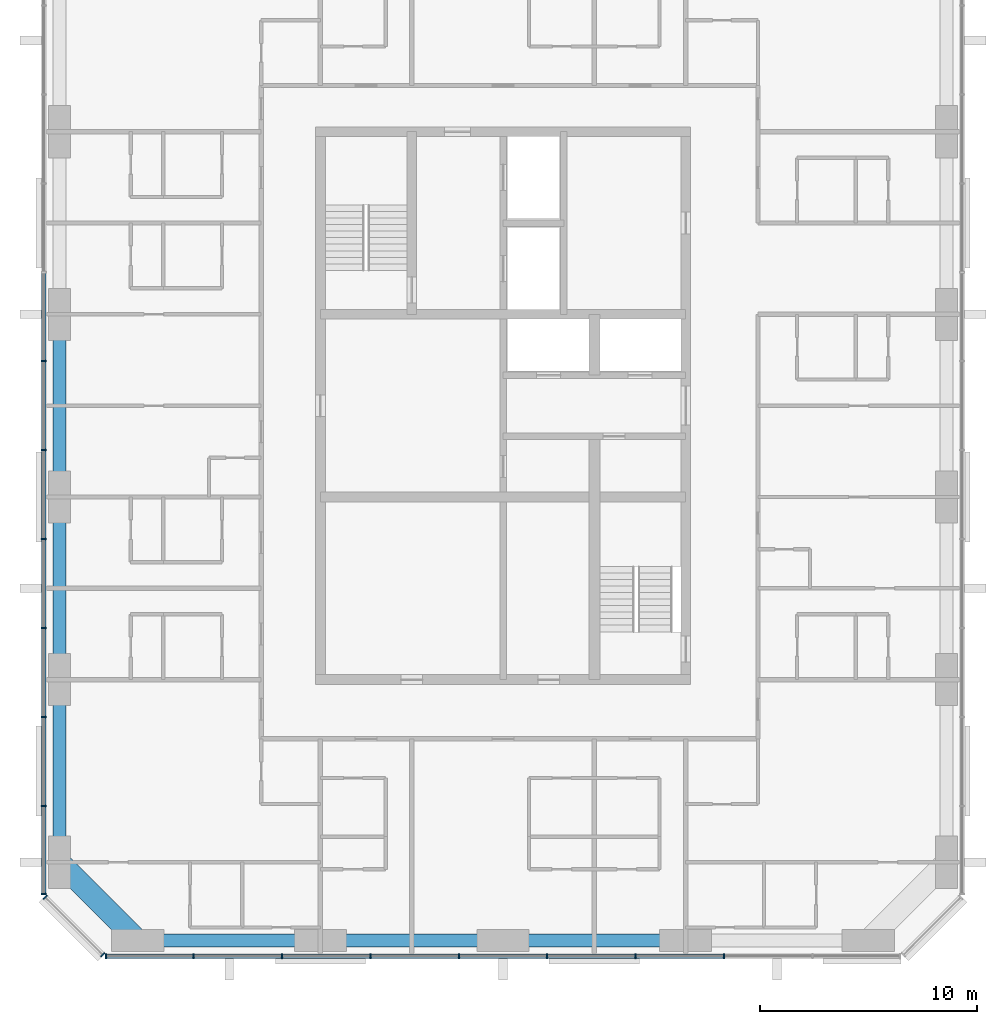
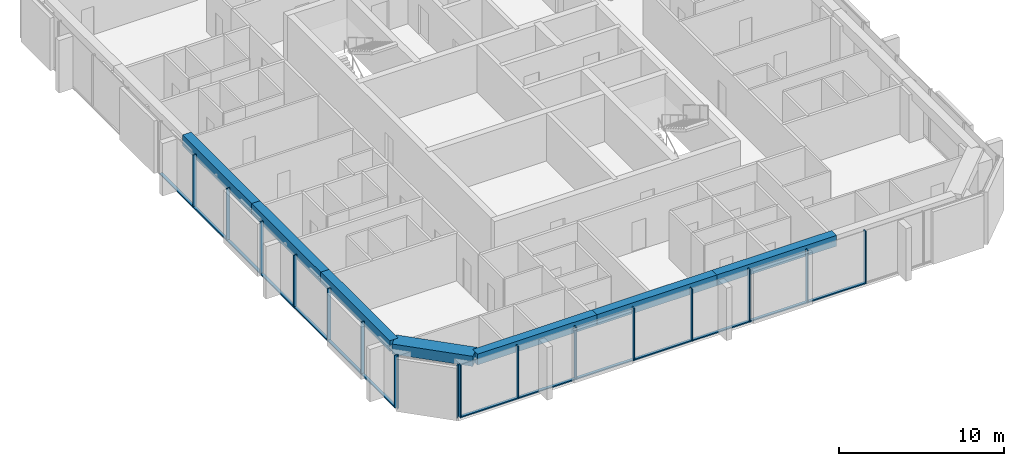
# One storey, part 2 of 12: 31 members, 7 beams, 3 elements without a shape of their own.
"""IFC4 building model written with IfcOpenShell, lengths in metres."""

from ifc_helpers import new_model, si_unit, direction, frame, origin, origin_2d, place, context, subcontext, project, spatial, rectangle, extrude, material, material_profile, profile_set, type_object, element, aggregate, save


model = new_model("IFC4")

# Units and contexts
model_context = context("Model", 3, precision=1e-05, world=origin(), true_north=direction((0.0, 1.0)))
body_context = subcontext(model_context, "Body", "Model", "MODEL_VIEW")
ifc_project = project(units=[si_unit("LENGTHUNIT", "METRE"), si_unit("AREAUNIT", "SQUARE_METRE"), si_unit("VOLUMEUNIT", "CUBIC_METRE"), si_unit("PLANEANGLEUNIT", "RADIAN"), si_unit("MASSUNIT", "GRAM", prefix="KILO")], contexts=[model_context])

# Site, building, storey
site_placement = place(None, origin())
site = spatial("IfcSite", under=ifc_project, at=site_placement, CompositionType="ELEMENT")
building_placement = place(site_placement, origin())
building = spatial("IfcBuilding", under=site, at=building_placement, Name="Dunama Terrace Hotel", CompositionType="ELEMENT")
storey_placement = place(building_placement, frame((0.0, 0.0, 268.5)))
storey = spatial("IfcBuildingStorey", under=building, at=storey_placement, Name="L69", CompositionType="ELEMENT", Elevation=268.5)

# Curtain wall, members
ifc_material_1 = material(Name="Aluminium curtain wall system", Category="aluminium")
curtain_wall_type = type_object("IfcCurtainWallType", Name="Unitised fritted glass wall CW-D", PredefinedType="NOTDEFINED", material=ifc_material_1)
curtain_wall_1_placement = place(storey_placement, origin())
curtain_wall_1 = element("IfcCurtainWall", 1, at=curtain_wall_1_placement, inside=storey, type_object=curtain_wall_type, Name="Unitised fritted glass wall CW-D L69", PredefinedType="NOTDEFINED")
ifc_material_2 = material(Name="Aluminium mullion", Category="aluminium")
ifc_material_profile_1 = material_profile(ifc_material_2, rectangle(XDim=0.070068359375, YDim=0.239990234375, at=origin_2d()), Name="CWD MULLION 70X240")
ifc_profile_set_1 = profile_set([ifc_material_profile_1], Name="Aluminium mullion")
member_type_1 = type_object("IfcMemberType", Name="CWD mullion 70x240", PredefinedType="MULLION", material=ifc_profile_set_1)
member_1_placement = place(storey_placement, frame((15.3349609375, 4.080078125, 0.0), z_axis=(0.0, 0.0, 1.0), x_axis=(1.0, 0.0, 0.0)))
member_1 = element("IfcMember", 2, at=member_1_placement, type_object=member_type_1, Name="CWD mullion", PredefinedType="MULLION", context=body_context, shape_type="SweptSolid", body=[
    extrude(rectangle(XDim=0.070068359375, YDim=0.239990234375, at=origin_2d()), origin(), (0.0, 0.0, 1.0), 3.89990234375),
])
member_2_placement = place(storey_placement, frame((19.366943359375, 4.080078125, 0.0), z_axis=(0.0, 0.0, 1.0), x_axis=(1.0, 0.0, 0.0)))
member_2 = element("IfcMember", 3, at=member_2_placement, type_object=member_type_1, Name="CWD mullion", PredefinedType="MULLION", context=body_context, shape_type="SweptSolid", body=[
    extrude(rectangle(XDim=0.070068359375, YDim=0.239990234375, at=origin_2d()), origin(), (0.0, 0.0, 1.0), 3.89990234375),
])
member_3_placement = place(storey_placement, frame((23.43310546875, 4.080078125, 0.0), z_axis=(0.0, 0.0, 1.0), x_axis=(1.0, 0.0, 0.0)))
member_3 = element("IfcMember", 4, at=member_3_placement, type_object=member_type_1, Name="CWD mullion", PredefinedType="MULLION", context=body_context, shape_type="SweptSolid", body=[
    extrude(rectangle(XDim=0.070068359375, YDim=0.239990234375, at=origin_2d()), origin(), (0.0, 0.0, 1.0), 3.89990234375),
])
member_4_placement = place(storey_placement, frame((27.5, 4.080078125, 0.0), z_axis=(0.0, 0.0, 1.0), x_axis=(1.0, 0.0, 0.0)))
member_4 = element("IfcMember", 5, at=member_4_placement, type_object=member_type_1, Name="CWD mullion", PredefinedType="MULLION", context=body_context, shape_type="SweptSolid", body=[
    extrude(rectangle(XDim=0.070068359375, YDim=0.239990234375, at=origin_2d()), origin(), (0.0, 0.0, 1.0), 3.89990234375),
])
member_5_placement = place(storey_placement, frame((31.56689453125, 4.080078125, 0.0), z_axis=(0.0, 0.0, 1.0), x_axis=(1.0, 0.0, 0.0)))
member_5 = element("IfcMember", 6, at=member_5_placement, type_object=member_type_1, Name="CWD mullion", PredefinedType="MULLION", context=body_context, shape_type="SweptSolid", body=[
    extrude(rectangle(XDim=0.070068359375, YDim=0.239990234375, at=origin_2d()), origin(), (0.0, 0.0, 1.0), 3.89990234375),
])
member_6_placement = place(storey_placement, frame((35.633056640625, 4.080078125, 0.0), z_axis=(0.0, 0.0, 1.0), x_axis=(1.0, 0.0, 0.0)))
member_6 = element("IfcMember", 7, at=member_6_placement, type_object=member_type_1, Name="CWD mullion", PredefinedType="MULLION", context=body_context, shape_type="SweptSolid", body=[
    extrude(rectangle(XDim=0.070068359375, YDim=0.239990234375, at=origin_2d()), origin(), (0.0, 0.0, 1.0), 3.89990234375),
])
member_7_placement = place(storey_placement, frame((39.699951171875, 4.080078125, 0.0), z_axis=(0.0, 0.0, 1.0), x_axis=(1.0, 0.0, 0.0)))
member_7 = element("IfcMember", 8, at=member_7_placement, type_object=member_type_1, Name="CWD mullion", PredefinedType="MULLION", context=body_context, shape_type="SweptSolid", body=[
    extrude(rectangle(XDim=0.070068359375, YDim=0.239990234375, at=origin_2d()), origin(), (0.0, 0.0, 1.0), 3.89990234375),
])
member_8_placement = place(storey_placement, frame((43.76708984375, 4.080078125, 0.0), z_axis=(0.0, 0.0, 1.0), x_axis=(1.0, 0.0, 0.0)))
member_8 = element("IfcMember", 9, at=member_8_placement, type_object=member_type_1, Name="CWD mullion", PredefinedType="MULLION", context=body_context, shape_type="SweptSolid", body=[
    extrude(rectangle(XDim=0.070068359375, YDim=0.239990234375, at=origin_2d()), origin(), (0.0, 0.0, 1.0), 3.89990234375),
])

curtain_wall_2_placement = place(storey_placement, origin())
curtain_wall_2 = element("IfcCurtainWall", 10, at=curtain_wall_2_placement, inside=storey, type_object=curtain_wall_type, Name="Unitised fritted glass wall CW-D L69", PredefinedType="NOTDEFINED")
member_9_placement = place(storey_placement, frame((12.47998046875, 31.445068359375, 0.0), z_axis=(0.0, 0.0, 1.0), x_axis=(0.0, -1.0, 0.0)))
member_9 = element("IfcMember", 11, at=member_9_placement, type_object=member_type_1, Name="CWD mullion", PredefinedType="MULLION", context=body_context, shape_type="SweptSolid", body=[
    extrude(rectangle(XDim=0.070068359375, YDim=0.239990234375, at=origin_2d()), origin(), (0.0, 0.0, 1.0), 3.89990234375),
])
member_10_placement = place(storey_placement, frame((12.47998046875, 27.35498046875, 0.0), z_axis=(0.0, 0.0, 1.0), x_axis=(0.0, -1.0, 0.0)))
member_10 = element("IfcMember", 12, at=member_10_placement, type_object=member_type_1, Name="CWD mullion", PredefinedType="MULLION", context=body_context, shape_type="SweptSolid", body=[
    extrude(rectangle(XDim=0.070068359375, YDim=0.239990234375, at=origin_2d()), origin(), (0.0, 0.0, 1.0), 3.89990234375),
])
member_11_placement = place(storey_placement, frame((12.47998046875, 23.263916015625, 0.0), z_axis=(0.0, 0.0, 1.0), x_axis=(0.0, -1.0, 0.0)))
member_11 = element("IfcMember", 13, at=member_11_placement, type_object=member_type_1, Name="CWD mullion", PredefinedType="MULLION", context=body_context, shape_type="SweptSolid", body=[
    extrude(rectangle(XDim=0.070068359375, YDim=0.239990234375, at=origin_2d()), origin(), (0.0, 0.0, 1.0), 3.89990234375),
])
member_12_placement = place(storey_placement, frame((12.47998046875, 19.173095703125, 0.0), z_axis=(0.0, 0.0, 1.0), x_axis=(0.0, -1.0, 0.0)))
member_12 = element("IfcMember", 14, at=member_12_placement, type_object=member_type_1, Name="CWD mullion", PredefinedType="MULLION", context=body_context, shape_type="SweptSolid", body=[
    extrude(rectangle(XDim=0.070068359375, YDim=0.239990234375, at=origin_2d()), origin(), (0.0, 0.0, 1.0), 3.89990234375),
])
member_13_placement = place(storey_placement, frame((12.47998046875, 15.08203125, 0.0), z_axis=(0.0, 0.0, 1.0), x_axis=(0.0, -1.0, 0.0)))
member_13 = element("IfcMember", 15, at=member_13_placement, type_object=member_type_1, Name="CWD mullion", PredefinedType="MULLION", context=body_context, shape_type="SweptSolid", body=[
    extrude(rectangle(XDim=0.070068359375, YDim=0.239990234375, at=origin_2d()), origin(), (0.0, 0.0, 1.0), 3.89990234375),
])
member_14_placement = place(storey_placement, frame((12.47998046875, 10.990966796875, 0.0), z_axis=(0.0, 0.0, 1.0), x_axis=(0.0, -1.0, 0.0)))
member_14 = element("IfcMember", 16, at=member_14_placement, type_object=member_type_1, Name="CWD mullion", PredefinedType="MULLION", context=body_context, shape_type="SweptSolid", body=[
    extrude(rectangle(XDim=0.070068359375, YDim=0.239990234375, at=origin_2d()), origin(), (0.0, 0.0, 1.0), 3.89990234375),
])
member_15_placement = place(storey_placement, frame((12.47998046875, 6.93505859375, 0.0), z_axis=(0.0, 0.0, 1.0), x_axis=(0.0, -1.0, 0.0)))
member_15 = element("IfcMember", 17, at=member_15_placement, type_object=member_type_1, Name="CWD mullion", PredefinedType="MULLION", context=body_context, shape_type="SweptSolid", body=[
    extrude(rectangle(XDim=0.070068359375, YDim=0.239990234375, at=origin_2d()), origin(), (0.0, 0.0, 1.0), 3.89990234375),
])

curtain_wall_3_placement = place(storey_placement, origin())
curtain_wall_3 = element("IfcCurtainWall", 18, at=curtain_wall_3_placement, inside=storey, type_object=curtain_wall_type, Name="Unitised fritted glass wall CW-D L69", PredefinedType="NOTDEFINED")
member_16_placement = place(storey_placement, frame((12.5400390625, 6.7900390625, 0.0), z_axis=(0.0, 0.0, 1.0), x_axis=(0.707106781187, -0.707106781187, 0.0)))
member_16 = element("IfcMember", 19, at=member_16_placement, type_object=member_type_1, Name="CWD mullion", PredefinedType="MULLION", context=body_context, shape_type="SweptSolid", body=[
    extrude(rectangle(XDim=0.070068359375, YDim=0.239990234375, at=origin_2d()), origin(), (0.0, 0.0, 1.0), 3.89990234375),
])
member_17_placement = place(storey_placement, frame((15.18994140625, 4.139892578125, 0.0), z_axis=(0.0, 0.0, 1.0), x_axis=(0.707106781187, -0.707106781187, 0.0)))
member_17 = element("IfcMember", 20, at=member_17_placement, type_object=member_type_1, Name="CWD mullion", PredefinedType="MULLION", context=body_context, shape_type="SweptSolid", body=[
    extrude(rectangle(XDim=0.070068359375, YDim=0.239990234375, at=origin_2d()), origin(), (0.0, 0.0, 1.0), 3.89990234375),
])
aggregate(curtain_wall_3, [member_16, member_17])

# Member
ifc_material_3 = material(Name="Aluminium transom", Category="aluminium")
ifc_material_profile_2 = material_profile(ifc_material_3, rectangle(XDim=0.199951171875, YDim=0.0849609375, at=origin_2d()), Name="CWD TRANSOM 200X85")
ifc_profile_set_2 = profile_set([ifc_material_profile_2], Name="Aluminium transom")
member_type_2 = type_object("IfcMemberType", Name="CWD transom 200x85", PredefinedType="USERDEFINED", material=ifc_profile_set_2)
member_18_placement = place(storey_placement, frame((15.3701171875, 4.080078125, 0.04248046875), z_axis=(1.0, 0.0, 0.0), x_axis=(0.0, 1.0, 0.0)))
member_18 = element("IfcMember", 21, at=member_18_placement, type_object=member_type_2, Name="CWD transom", ObjectType="TRANSOM", PredefinedType="USERDEFINED", context=body_context, shape_type="SweptSolid", body=[
    extrude(rectangle(XDim=0.199951171875, YDim=0.0849609375, at=origin_2d()), origin(), (0.0, 0.0, 1.0), 3.9619140625),
])

member_19_placement = place(storey_placement, frame((19.402099609375, 4.080078125, 0.04248046875), z_axis=(1.0, 0.0, 0.0), x_axis=(0.0, 1.0, 0.0)))
member_19 = element("IfcMember", 22, at=member_19_placement, type_object=member_type_2, Name="CWD transom", ObjectType="TRANSOM", PredefinedType="USERDEFINED", context=body_context, shape_type="SweptSolid", body=[
    extrude(rectangle(XDim=0.199951171875, YDim=0.0849609375, at=origin_2d()), origin(), (0.0, 0.0, 1.0), 3.995849609375),
])

member_20_placement = place(storey_placement, frame((23.468017578125, 4.080078125, 0.04248046875), z_axis=(1.0, 0.0, 0.0), x_axis=(0.0, 1.0, 0.0)))
member_20 = element("IfcMember", 23, at=member_20_placement, type_object=member_type_2, Name="CWD transom", ObjectType="TRANSOM", PredefinedType="USERDEFINED", context=body_context, shape_type="SweptSolid", body=[
    extrude(rectangle(XDim=0.199951171875, YDim=0.0849609375, at=origin_2d()), origin(), (0.0, 0.0, 1.0), 3.9970703125),
])

member_21_placement = place(storey_placement, frame((27.534912109375, 4.080078125, 0.04248046875), z_axis=(1.0, 0.0, 0.0), x_axis=(0.0, 1.0, 0.0)))
member_21 = element("IfcMember", 24, at=member_21_placement, type_object=member_type_2, Name="CWD transom", ObjectType="TRANSOM", PredefinedType="USERDEFINED", context=body_context, shape_type="SweptSolid", body=[
    extrude(rectangle(XDim=0.199951171875, YDim=0.0849609375, at=origin_2d()), origin(), (0.0, 0.0, 1.0), 3.9970703125),
])

member_22_placement = place(storey_placement, frame((31.60205078125, 4.080078125, 0.04248046875), z_axis=(1.0, 0.0, 0.0), x_axis=(0.0, 1.0, 0.0)))
member_22 = element("IfcMember", 25, at=member_22_placement, type_object=member_type_2, Name="CWD transom", ObjectType="TRANSOM", PredefinedType="USERDEFINED", context=body_context, shape_type="SweptSolid", body=[
    extrude(rectangle(XDim=0.199951171875, YDim=0.0849609375, at=origin_2d()), origin(), (0.0, 0.0, 1.0), 3.995849609375),
])

member_23_placement = place(storey_placement, frame((35.66796875, 4.080078125, 0.04248046875), z_axis=(1.0, 0.0, 0.0), x_axis=(0.0, 1.0, 0.0)))
member_23 = element("IfcMember", 26, at=member_23_placement, type_object=member_type_2, Name="CWD transom", ObjectType="TRANSOM", PredefinedType="USERDEFINED", context=body_context, shape_type="SweptSolid", body=[
    extrude(rectangle(XDim=0.199951171875, YDim=0.0849609375, at=origin_2d()), origin(), (0.0, 0.0, 1.0), 3.9970703125),
])

member_24_placement = place(storey_placement, frame((39.735107421875, 4.080078125, 0.04248046875), z_axis=(1.0, 0.0, 0.0), x_axis=(0.0, 1.0, 0.0)))
member_24 = element("IfcMember", 27, at=member_24_placement, type_object=member_type_2, Name="CWD transom", ObjectType="TRANSOM", PredefinedType="USERDEFINED", context=body_context, shape_type="SweptSolid", body=[
    extrude(rectangle(XDim=0.199951171875, YDim=0.0849609375, at=origin_2d()), origin(), (0.0, 0.0, 1.0), 3.996826171875),
])

aggregate(curtain_wall_1, [member_1, member_2, member_3, member_4, member_5, member_6, member_7, member_8, member_18, member_19, member_20, member_21, member_22, member_23, member_24])

member_25_placement = place(storey_placement, frame((12.47998046875, 35.5009765625, 0.04248046875), z_axis=(0.0, -1.0, 0.0), x_axis=(1.0, 0.0, 0.0)))
member_25 = element("IfcMember", 28, at=member_25_placement, type_object=member_type_2, Name="CWD transom", ObjectType="TRANSOM", PredefinedType="USERDEFINED", context=body_context, shape_type="SweptSolid", body=[
    extrude(rectangle(XDim=0.199951171875, YDim=0.0849609375, at=origin_2d()), origin(), (0.0, 0.0, 1.0), 4.02099609375),
])

member_26_placement = place(storey_placement, frame((12.47998046875, 31.409912109375, 0.04248046875), z_axis=(0.0, -1.0, 0.0), x_axis=(1.0, 0.0, 0.0)))
member_26 = element("IfcMember", 29, at=member_26_placement, type_object=member_type_2, Name="CWD transom", ObjectType="TRANSOM", PredefinedType="USERDEFINED", context=body_context, shape_type="SweptSolid", body=[
    extrude(rectangle(XDim=0.199951171875, YDim=0.0849609375, at=origin_2d()), origin(), (0.0, 0.0, 1.0), 4.02001953125),
])

member_27_placement = place(storey_placement, frame((12.47998046875, 27.320068359375, 0.04248046875), z_axis=(0.0, -1.0, 0.0), x_axis=(1.0, 0.0, 0.0)))
member_27 = element("IfcMember", 30, at=member_27_placement, type_object=member_type_2, Name="CWD transom", ObjectType="TRANSOM", PredefinedType="USERDEFINED", context=body_context, shape_type="SweptSolid", body=[
    extrude(rectangle(XDim=0.199951171875, YDim=0.0849609375, at=origin_2d()), origin(), (0.0, 0.0, 1.0), 4.02099609375),
])

member_28_placement = place(storey_placement, frame((12.47998046875, 23.22900390625, 0.04248046875), z_axis=(0.0, -1.0, 0.0), x_axis=(1.0, 0.0, 0.0)))
member_28 = element("IfcMember", 31, at=member_28_placement, type_object=member_type_2, Name="CWD transom", ObjectType="TRANSOM", PredefinedType="USERDEFINED", context=body_context, shape_type="SweptSolid", body=[
    extrude(rectangle(XDim=0.199951171875, YDim=0.0849609375, at=origin_2d()), origin(), (0.0, 0.0, 1.0), 4.02099609375),
])

member_29_placement = place(storey_placement, frame((12.47998046875, 19.137939453125, 0.04248046875), z_axis=(0.0, -1.0, 0.0), x_axis=(1.0, 0.0, 0.0)))
member_29 = element("IfcMember", 32, at=member_29_placement, type_object=member_type_2, Name="CWD transom", ObjectType="TRANSOM", PredefinedType="USERDEFINED", context=body_context, shape_type="SweptSolid", body=[
    extrude(rectangle(XDim=0.199951171875, YDim=0.0849609375, at=origin_2d()), origin(), (0.0, 0.0, 1.0), 4.02099609375),
])

member_30_placement = place(storey_placement, frame((12.47998046875, 15.047119140625, 0.04248046875), z_axis=(0.0, -1.0, 0.0), x_axis=(1.0, 0.0, 0.0)))
member_30 = element("IfcMember", 33, at=member_30_placement, type_object=member_type_2, Name="CWD transom", ObjectType="TRANSOM", PredefinedType="USERDEFINED", context=body_context, shape_type="SweptSolid", body=[
    extrude(rectangle(XDim=0.199951171875, YDim=0.0849609375, at=origin_2d()), origin(), (0.0, 0.0, 1.0), 4.021240234375),
])

member_31_placement = place(storey_placement, frame((12.47998046875, 10.9560546875, 0.04248046875), z_axis=(0.0, -1.0, 0.0), x_axis=(1.0, 0.0, 0.0)))
member_31 = element("IfcMember", 34, at=member_31_placement, type_object=member_type_2, Name="CWD transom", ObjectType="TRANSOM", PredefinedType="USERDEFINED", context=body_context, shape_type="SweptSolid", body=[
    extrude(rectangle(XDim=0.199951171875, YDim=0.0849609375, at=origin_2d()), origin(), (0.0, 0.0, 1.0), 3.986083984375),
])

aggregate(curtain_wall_2, [member_9, member_10, member_11, member_12, member_13, member_14, member_15, member_25, member_26, member_27, member_28, member_29, member_30, member_31])

# Beams
ifc_material_4 = material(Name="Concrete C50/60", Category="concrete")
ifc_material_profile_3 = material_profile(ifc_material_4, rectangle(XDim=1.0, YDim=0.75, at=origin_2d()), Name="RC 1000x750")
ifc_profile_set_3 = profile_set([ifc_material_profile_3], Name="Concrete C50/60")
beam_type_1 = type_object("IfcBeamType", Name="Edge beam RC 1000x750", PredefinedType="SPANDREL", material=ifc_profile_set_3)
beam_1_placement = place(storey_placement, frame((16.800048828125, 4.800048828125, 3.52490234375), z_axis=(-0.707130757816, 0.707082803744, 0.0), x_axis=(-0.707082803744, -0.707130757816, 0.0)))
element("IfcBeam", 35, at=beam_1_placement, inside=storey, type_object=beam_type_1, Name="Corner edge beam under L70", PredefinedType="SPANDREL", context=body_context, shape_type="SweptSolid", body=[
    extrude(rectangle(XDim=1.0, YDim=0.75, at=origin_2d()), origin(), (0.0, 0.0, 1.0), 5.091064453125),
])
ifc_material_5 = material(Name="Concrete C40/50", Category="concrete")
ifc_material_profile_4 = material_profile(ifc_material_5, rectangle(XDim=0.60009765625, YDim=0.800048828125, at=origin_2d()), Name="RC 600x800")
ifc_profile_set_4 = profile_set([ifc_material_profile_4], Name="Concrete C40/50")
beam_type_2 = type_object("IfcBeamType", Name="Edge beam RC 600x800", PredefinedType="SPANDREL", material=ifc_profile_set_4)
beam_2_placement = place(storey_placement, frame((13.199951171875, 8.39990234375, 3.5), z_axis=(0.0, 1.0, 0.0), x_axis=(-1.0, 0.0, 0.0)))
element("IfcBeam", 36, at=beam_2_placement, inside=storey, type_object=beam_type_2, Name="Edge beam under L70", PredefinedType="SPANDREL", context=body_context, shape_type="SweptSolid", body=[
    extrude(rectangle(XDim=0.60009765625, YDim=0.800048828125, at=origin_2d()), origin(), (0.0, 0.0, 1.0), 8.400146484375),
])
beam_3_placement = place(storey_placement, frame((13.199951171875, 16.800048828125, 3.5), z_axis=(0.0, 1.0, 0.0), x_axis=(-1.0, 0.0, 0.0)))
element("IfcBeam", 37, at=beam_3_placement, inside=storey, type_object=beam_type_2, Name="Edge beam under L70", PredefinedType="SPANDREL", context=body_context, shape_type="SweptSolid", body=[
    extrude(rectangle(XDim=0.60009765625, YDim=0.800048828125, at=origin_2d()), origin(), (0.0, 0.0, 1.0), 8.39990234375),
])
beam_4_placement = place(storey_placement, frame((13.199951171875, 25.199951171875, 3.5), z_axis=(0.0, 1.0, 0.0), x_axis=(-1.0, 0.0, 0.0)))
element("IfcBeam", 38, at=beam_4_placement, inside=storey, type_object=beam_type_2, Name="Edge beam under L70", PredefinedType="SPANDREL", context=body_context, shape_type="SweptSolid", body=[
    extrude(rectangle(XDim=0.60009765625, YDim=0.800048828125, at=origin_2d()), origin(), (0.0, 0.0, 1.0), 8.400146484375),
])
beam_5_placement = place(storey_placement, frame((16.800048828125, 4.800048828125, 3.5), z_axis=(1.0, 0.0, 0.0), x_axis=(0.0, 1.0, 0.0)))
element("IfcBeam", 39, at=beam_5_placement, inside=storey, type_object=beam_type_2, Name="Edge beam under L70", PredefinedType="SPANDREL", context=body_context, shape_type="SweptSolid", body=[
    extrude(rectangle(XDim=0.60009765625, YDim=0.800048828125, at=origin_2d()), origin(), (0.0, 0.0, 1.0), 8.39990234375),
])
beam_6_placement = place(storey_placement, frame((25.199951171875, 4.800048828125, 3.5), z_axis=(1.0, 0.0, 0.0), x_axis=(0.0, 1.0, 0.0)))
element("IfcBeam", 40, at=beam_6_placement, inside=storey, type_object=beam_type_2, Name="Edge beam under L70", PredefinedType="SPANDREL", context=body_context, shape_type="SweptSolid", body=[
    extrude(rectangle(XDim=0.60009765625, YDim=0.800048828125, at=origin_2d()), origin(), (0.0, 0.0, 1.0), 8.400146484375),
])
beam_7_placement = place(storey_placement, frame((33.60009765625, 4.800048828125, 3.5), z_axis=(1.0, 0.0, 0.0), x_axis=(0.0, 1.0, 0.0)))
element("IfcBeam", 41, at=beam_7_placement, inside=storey, type_object=beam_type_2, Name="Edge beam under L70", PredefinedType="SPANDREL", context=body_context, shape_type="SweptSolid", body=[
    extrude(rectangle(XDim=0.60009765625, YDim=0.800048828125, at=origin_2d()), origin(), (0.0, 0.0, 1.0), 8.39990234375),
])

save(model, "model.ifc")
